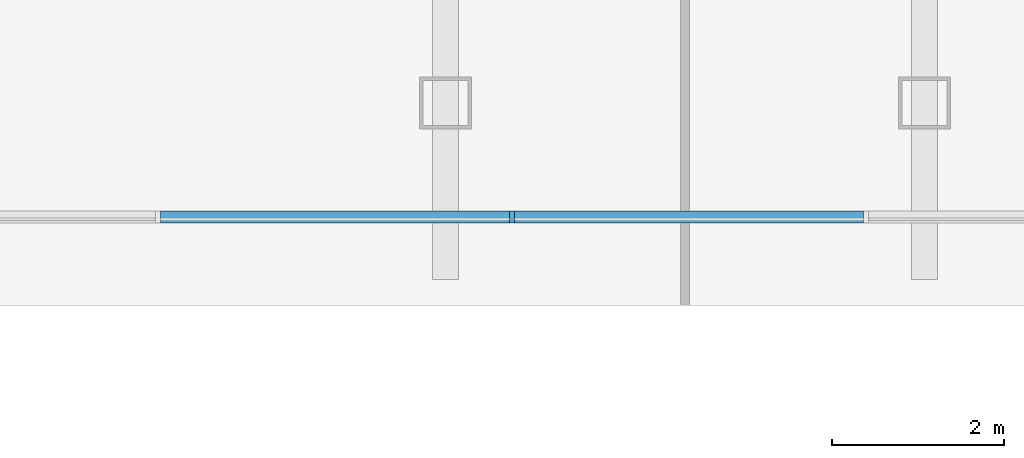
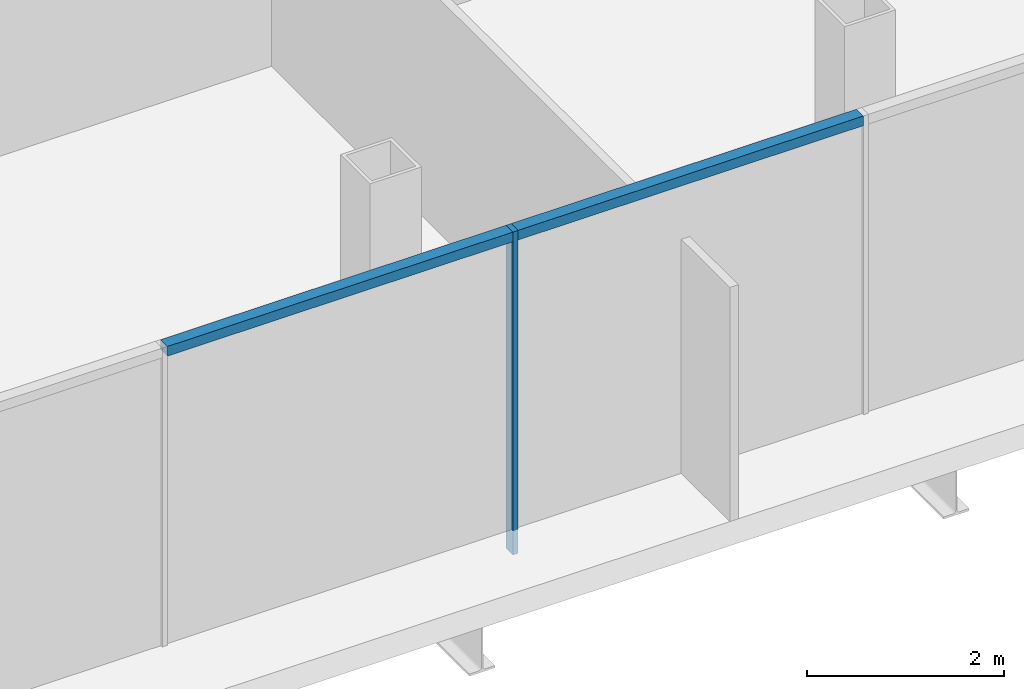
# One storey, part 6 of 25: 3 members, 1 element without a shape of its own.
"""IFC4 building model written with IfcOpenShell, lengths in metres."""

from ifc_helpers import new_model, si_unit, direction, frame, origin, origin_2d, place, context, subcontext, project, spatial, rectangle, extrude, material, material_profile, profile_set, type_object, element, aggregate, save


model = new_model("IFC4")

# Units and contexts
model_context = context("Model", 3, precision=1e-05, world=origin(), true_north=direction((0.0, 1.0)))
body_context = subcontext(model_context, "Body", "Model", "MODEL_VIEW")
ifc_project = project(units=[si_unit("LENGTHUNIT", "METRE"), si_unit("AREAUNIT", "SQUARE_METRE"), si_unit("VOLUMEUNIT", "CUBIC_METRE"), si_unit("PLANEANGLEUNIT", "RADIAN"), si_unit("MASSUNIT", "GRAM", prefix="KILO")], contexts=[model_context])

# Site, building, storey
site_placement = place(None, origin())
site = spatial("IfcSite", under=ifc_project, at=site_placement, CompositionType="ELEMENT")
building_placement = place(site_placement, origin())
building = spatial("IfcBuilding", under=site, at=building_placement, Name="Ogive Gate Towers", CompositionType="ELEMENT")
storey_placement = place(building_placement, frame((0.0, 0.0, 152.800048828125)))
storey = spatial("IfcBuildingStorey", under=building, at=storey_placement, Name="L36", CompositionType="ELEMENT", Elevation=152.800048828125)

# Curtain wall, members
ifc_material = material(Name="Pale metal aluminium", Category="aluminium")
curtain_wall_type = type_object("IfcCurtainWallType", Name="Gate block facade", PredefinedType="NOTDEFINED", material=ifc_material)
curtain_wall_placement = place(storey_placement, origin())
curtain_wall = element("IfcCurtainWall", 1, at=curtain_wall_placement, inside=storey, type_object=curtain_wall_type, Name="CW3 BR ECW01", PredefinedType="NOTDEFINED")
ifc_material_profile_1 = material_profile(ifc_material, rectangle(XDim=0.139892578125, YDim=0.06005859375, at=origin_2d()), Name="60 x 140 aluminium box")
ifc_profile_set_1 = profile_set([ifc_material_profile_1], Name="Pale metal aluminium")
member_type_1 = type_object("IfcMemberType", Name="Gate block facade mullion 60 x 140", PredefinedType="MULLION", material=ifc_profile_set_1)
member_1_placement = place(storey_placement, frame((2.053466796875, -7.821533203125, -0.300048828125), z_axis=(0.0, 0.0, 1.0), x_axis=(0.0, -1.0, 0.0)))
member_1 = element("IfcMember", 2, at=member_1_placement, type_object=member_type_1, Name="CW3 mullion", PredefinedType="MULLION", context=body_context, shape_type="SweptSolid", body=[
    extrude(rectangle(XDim=0.139892578125, YDim=0.06005859375, at=origin_2d()), origin(), (0.0, 0.0, 1.0), 4.0),
])
ifc_material_profile_2 = material_profile(ifc_material, rectangle(XDim=0.139892578125, YDim=0.1201171875, at=origin_2d()), Name="120 x 140 aluminium box")
ifc_profile_set_2 = profile_set([ifc_material_profile_2], Name="Pale metal aluminium")
member_type_2 = type_object("IfcMemberType", Name="Gate block facade transom 120 x 140", PredefinedType="USERDEFINED", material=ifc_profile_set_2)
member_2_placement = place(storey_placement, frame((-2.0234375, -7.821533203125, 3.639892578125), z_axis=(1.0, 0.0, 0.0), x_axis=(0.0, 1.0, 0.0)))
member_2 = element("IfcMember", 3, at=member_2_placement, type_object=member_type_2, Name="CW3 transom", ObjectType="TRANSOM", PredefinedType="USERDEFINED", context=body_context, shape_type="SweptSolid", body=[
    extrude(rectangle(XDim=0.139892578125, YDim=0.1201171875, at=origin_2d()), origin(), (0.0, 0.0, 1.0), 4.046875),
])
member_3_placement = place(storey_placement, frame((2.08349609375, -7.821533203125, 3.639892578125), z_axis=(1.0, 0.0, 0.0), x_axis=(0.0, 1.0, 0.0)))
member_3 = element("IfcMember", 4, at=member_3_placement, type_object=member_type_2, Name="CW3 transom", ObjectType="TRANSOM", PredefinedType="USERDEFINED", context=body_context, shape_type="SweptSolid", body=[
    extrude(rectangle(XDim=0.139892578125, YDim=0.1201171875, at=origin_2d()), origin(), (0.0, 0.0, 1.0), 4.047119140625),
])
aggregate(curtain_wall, [member_1, member_2, member_3])

save(model, "model.ifc")
